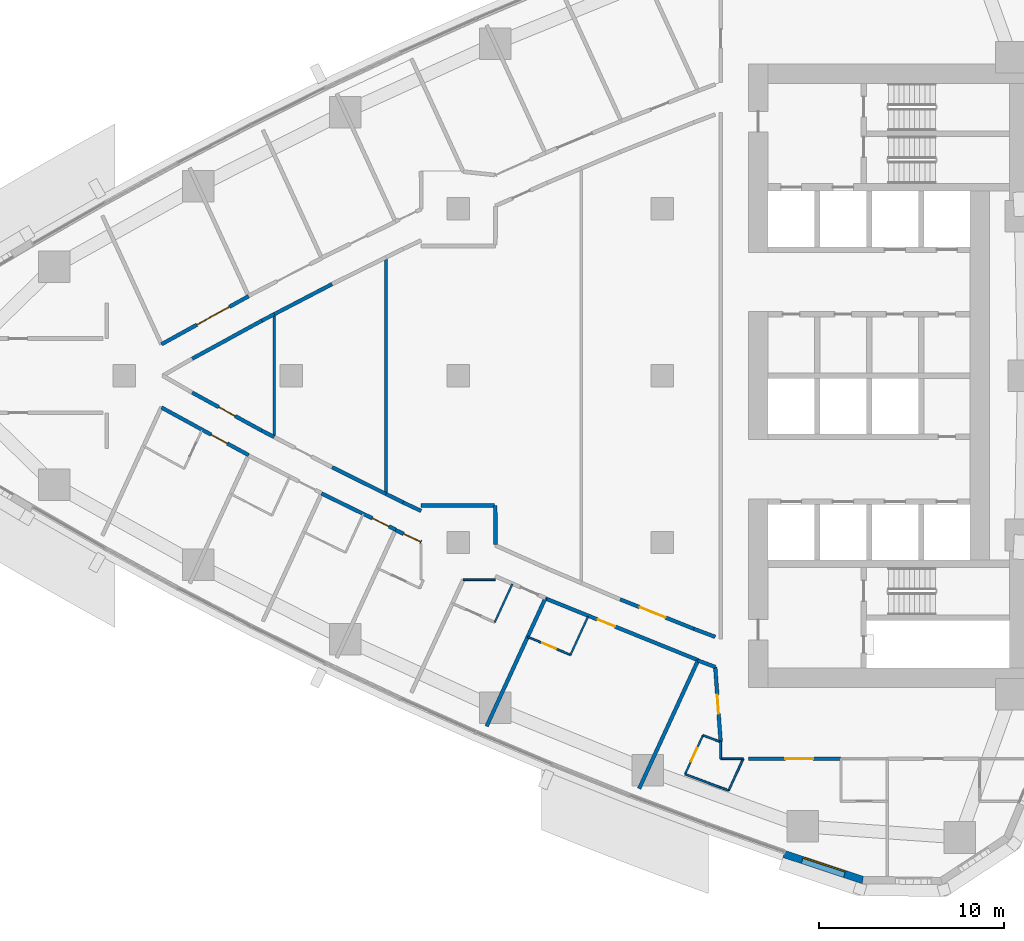
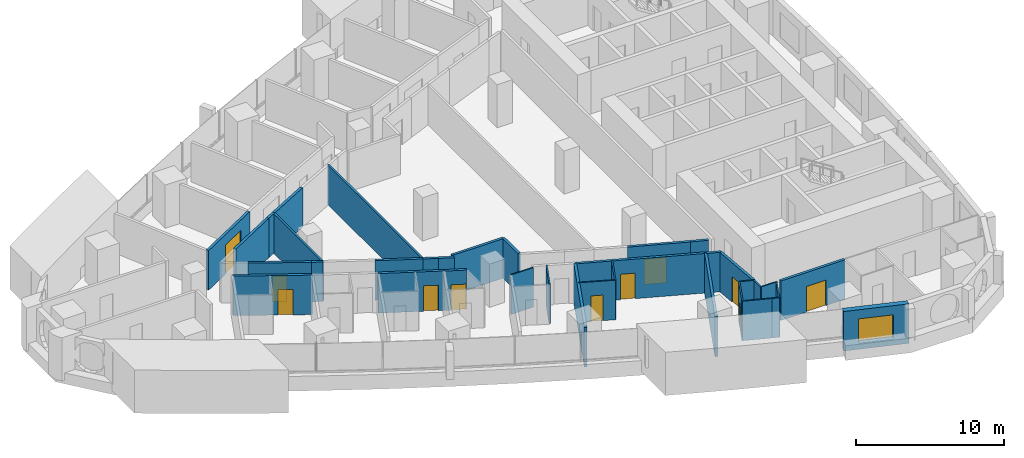
# One storey, part 9 of 17: 36 walls, 11 doors, 1 window, 12 openings.
"""IFC4 building model written with IfcOpenShell, lengths in metres."""

from ifc_helpers import new_model, si_unit, direction, frame, frame_2d, origin, place, context, subcontext, project, spatial, polyline, rectangle, outline, extrude, material, layer, layer_set, type_object, element, fill, save


model = new_model("IFC4")

# Units and contexts
model_context = context("Model", 3, precision=1e-05, world=origin(), true_north=direction((0.0, 1.0)))
body_context = subcontext(model_context, "Body", "Model", "MODEL_VIEW")
ifc_project = project(units=[si_unit("LENGTHUNIT", "METRE"), si_unit("AREAUNIT", "SQUARE_METRE"), si_unit("VOLUMEUNIT", "CUBIC_METRE"), si_unit("PLANEANGLEUNIT", "RADIAN"), si_unit("MASSUNIT", "GRAM", prefix="KILO")], contexts=[model_context])

# Site, building, storey
site_placement = place(None, origin())
site = spatial("IfcSite", under=ifc_project, at=site_placement, CompositionType="ELEMENT")
building_placement = place(site_placement, origin())
building = spatial("IfcBuilding", under=site, at=building_placement, Name="Ostrand Prow Hotel Tower", CompositionType="ELEMENT")
storey_placement = place(building_placement, frame((0.0, 0.0, 88.449951171875)))
storey = spatial("IfcBuildingStorey", under=building, at=storey_placement, Name="L20", CompositionType="ELEMENT", Elevation=88.449951171875)

# Walls
ifc_material_1 = material(Name="Plasterboard partition")
ifc_layer_1 = layer(ifc_material_1, 0.10009765625)
ifc_layer_set_1 = layer_set([ifc_layer_1], Name="Plasterboard partition")
wall_type_1 = type_object("IfcWallType", Name="Partition 100 bathroom wall", PredefinedType="PARTITIONING", material=ifc_layer_set_1)
wall_1_placement = place(storey_placement, frame((36.917236328125, -11.2275390625, 0.0), z_axis=(0.0, 0.0, 1.0), x_axis=(-0.417378147321, -0.908732899228, 0.0)))
element("IfcWall", 1, at=wall_1_placement, inside=storey, type_object=wall_type_1, Name="BATHROOM WALL", PredefinedType="PARTITIONING", context=body_context, shape_type="SweptSolid", body=[
    extrude(rectangle(XDim=2.277099609375, YDim=0.10009765625, at=frame_2d((1.138671875, 0.0))), origin(), (0.0, 0.0, 1.0), 3.25),
])
wall_2_placement = place(storey_placement, frame((40.99853515625, -12.983642578125, 0.0), z_axis=(0.0, 0.0, 1.0), x_axis=(-0.417433204355, -0.908707609686, 0.0)))
element("IfcWall", 2, at=wall_2_placement, inside=storey, type_object=wall_type_1, Name="BATHROOM WALL", PredefinedType="PARTITIONING", context=body_context, shape_type="SweptSolid", body=[
    extrude(rectangle(XDim=2.278076171875, YDim=0.10009765625, at=frame_2d((1.13916015625, 0.0))), origin(), (0.0, 0.0, 1.0), 3.25),
])

# Wall, opening, door
wall_3_placement = place(storey_placement, frame((40.047607421875, -15.0537109375, 0.0), z_axis=(0.0, 0.0, 1.0), x_axis=(-0.921042675983, 0.38946166566, 0.0)))
wall_3 = element("IfcWall", 3, at=wall_3_placement, inside=storey, type_object=wall_type_1, Name="BATHROOM WALL", PredefinedType="PARTITIONING", context=body_context, shape_type="SweptSolid", body=[
    extrude(rectangle(XDim=2.501220703125, YDim=0.10009765625, at=frame_2d((1.25048828125, 0.0))), origin(), (0.0, 0.0, 1.0), 3.25),
])
opening_1_placement = place(wall_3_placement, frame((0.85009765625, 0.0, 0.0)))
opening_1 = element("IfcOpeningElement", 4, at=opening_1_placement, cuts=wall_3, Name="Opening D2", PredefinedType="OPENING", context=body_context, shape_type="SweptSolid", body=[
    extrude(rectangle(XDim=0.800048828125, YDim=2.10009765625, at=frame_2d((0.39990234375, 1.050048828125))), frame((0.0, 0.06005859375, 0.0), z_axis=(0.0, -1.0, 0.0), x_axis=(1.0, 0.0, 0.0)), (0.0, 0.0, 1.0), 0.1201171875),
])
ifc_material_2 = material(Name="Timber door leaf", Category="wood")
door_type_1 = type_object("IfcDoorType", Name="Bathroom door 800", OperationType="SINGLE_SWING_LEFT", PredefinedType="DOOR", material=ifc_material_2)
door_1_placement = place(opening_1_placement, origin())
door_1 = element("IfcDoor", 5, at=door_1_placement, inside=storey, type_object=door_type_1, Name="DOOR", OperationType="SINGLE_SWING_LEFT", OverallHeight=2.10009765625, OverallWidth=0.800048828125, PredefinedType="DOOR", context=body_context, shape_type="SweptSolid", body=[
    extrude(rectangle(XDim=0.800048828125, YDim=2.10009765625, at=frame_2d((0.39990234375, 1.050048828125))), frame((0.0, 0.02490234375, 0.0), z_axis=(0.0, -1.0, 0.0), x_axis=(1.0, 0.0, 0.0)), (0.0, 0.0, 1.0), 0.050048828125),
])
fill(opening_1, door_1)

wall_4_placement = place(storey_placement, frame((46.229248046875, -21.48486328125, 0.0), z_axis=(0.0, 0.0, 1.0), x_axis=(0.417405650341, 0.908720266674, 0.0)))
wall_4 = element("IfcWall", 6, at=wall_4_placement, inside=storey, type_object=wall_type_1, Name="BATHROOM WALL", PredefinedType="PARTITIONING", context=body_context, shape_type="SweptSolid", body=[
    extrude(rectangle(XDim=2.3056640625, YDim=0.10009765625, at=frame_2d((1.15283203125, 0.0))), origin(), (0.0, 0.0, 1.0), 3.25),
])
opening_2_placement = place(wall_4_placement, frame((0.75, 0.0, 0.0)))
opening_2 = element("IfcOpeningElement", 7, at=opening_2_placement, cuts=wall_4, Name="Opening D2", PredefinedType="OPENING", context=body_context, shape_type="SweptSolid", body=[
    extrude(rectangle(XDim=0.800048828125, YDim=2.10009765625, at=frame_2d((0.39990234375, 1.050048828125))), frame((0.0, 0.06005859375, 0.0), z_axis=(0.0, -1.0, 0.0), x_axis=(1.0, 0.0, 0.0)), (0.0, 0.0, 1.0), 0.1201171875),
])
door_2_placement = place(opening_2_placement, origin())
door_2 = element("IfcDoor", 8, at=door_2_placement, inside=storey, type_object=door_type_1, Name="DOOR", OperationType="SINGLE_SWING_LEFT", OverallHeight=2.10009765625, OverallWidth=0.800048828125, PredefinedType="DOOR", context=body_context, shape_type="SweptSolid", body=[
    extrude(rectangle(XDim=0.800048828125, YDim=2.10009765625, at=frame_2d((0.39990234375, 1.050048828125))), frame((0.0, 0.02490234375, 0.0), z_axis=(0.0, -1.0, 0.0), x_axis=(1.0, 0.0, 0.0)), (0.0, 0.0, 1.0), 0.050048828125),
])
fill(opening_2, door_2)

# Walls
wall_5_placement = place(storey_placement, frame((47.19189453125, -19.3896484375, 0.0), z_axis=(0.0, 0.0, 1.0), x_axis=(0.935855998994, -0.352382674301, 0.0)))
element("IfcWall", 9, at=wall_5_placement, inside=storey, type_object=wall_type_1, Name="BATHROOM WALL", PredefinedType="PARTITIONING", context=body_context, shape_type="SweptSolid", body=[
    extrude(rectangle(XDim=0.998291015625, YDim=0.10009765625, at=frame_2d((0.4990234375, 0.0))), origin(), (0.0, 0.0, 1.0), 3.25),
])
wall_6_placement = place(storey_placement, frame((48.578857421875, -22.35888671875, 0.0), z_axis=(0.0, 0.0, 1.0), x_axis=(-0.942878458172, 0.333136928476, 0.0)))
element("IfcWall", 10, at=wall_6_placement, inside=storey, type_object=wall_type_1, Name="BATHROOM WALL", PredefinedType="PARTITIONING", context=body_context, shape_type="SweptSolid", body=[
    extrude(rectangle(XDim=0.483642578125, YDim=0.10009765625, at=frame_2d((0.24169921875, 0.0))), origin(), (0.0, 0.0, 1.0), 3.25),
])
wall_7_placement = place(storey_placement, frame((48.122802734375, -22.19775390625, 0.0), z_axis=(0.0, 0.0, 1.0), x_axis=(-0.935872177073, 0.352339705654, 0.0)))
element("IfcWall", 11, at=wall_7_placement, inside=storey, type_object=wall_type_1, Name="BATHROOM WALL", PredefinedType="PARTITIONING", context=body_context, shape_type="SweptSolid", body=[
    extrude(rectangle(XDim=2.023193359375, YDim=0.10009765625, at=frame_2d((1.01171875, 0.0))), origin(), (0.0, 0.0, 1.0), 3.25),
])
wall_8_placement = place(storey_placement, frame((34.268310546875, -11.0048828125, 0.0), z_axis=(0.0, 0.0, 1.0), x_axis=(1.0, 0.0, 0.0)))
element("IfcWall", 12, at=wall_8_placement, inside=storey, type_object=wall_type_1, Name="BATHROOM WALL", PredefinedType="PARTITIONING", context=body_context, shape_type="SweptSolid", body=[
    extrude(rectangle(XDim=1.732177734375, YDim=0.10009765625, at=frame_2d((0.8662109375, 0.0))), origin(), (0.0, 0.0, 1.0), 3.25),
])
wall_9_placement = place(storey_placement, frame((48.14501953125, -19.71875, 0.0), z_axis=(0.0, 0.0, 1.0), x_axis=(0.002870551847, -0.999995879958, 0.0)))
element("IfcWall", 13, at=wall_9_placement, inside=storey, type_object=wall_type_1, Name="BATHROOM WALL", PredefinedType="PARTITIONING", context=body_context, shape_type="SweptSolid", body=[
    extrude(rectangle(XDim=0.935546875, YDim=0.10009765625, at=frame_2d((0.4677734375, 0.0))), origin(), (0.0, 0.0, 1.0), 3.25),
])
wall_10_placement = place(storey_placement, frame((48.147705078125, -20.654296875, 0.0), z_axis=(0.0, 0.0, 1.0), x_axis=(0.999999817967, -0.000603378812, 0.0)))
element("IfcWall", 14, at=wall_10_placement, inside=storey, type_object=wall_type_1, Name="BATHROOM WALL", PredefinedType="PARTITIONING", context=body_context, shape_type="SweptSolid", body=[
    extrude(rectangle(XDim=1.2138671875, YDim=0.10009765625, at=frame_2d((0.60693359375, 0.0))), origin(), (0.0, 0.0, 1.0), 3.25),
])
wall_11_placement = place(storey_placement, frame((49.361572265625, -20.655029296875, 0.0), z_axis=(0.0, 0.0, 1.0), x_axis=(-0.417439151459, -0.90870487774, 0.0)))
element("IfcWall", 15, at=wall_11_placement, inside=storey, type_object=wall_type_1, Name="BATHROOM WALL", PredefinedType="PARTITIONING", context=body_context, shape_type="SweptSolid", body=[
    extrude(rectangle(XDim=1.875, YDim=0.10009765625, at=frame_2d((0.9375, 0.0))), origin(), (0.0, 0.0, 1.0), 3.25),
])
ifc_material_3 = material(Name="Plasterboard partition")
ifc_layer_2 = layer(ifc_material_3, 0.14990234375)
ifc_layer_set_2 = layer_set([ifc_layer_2], Name="Plasterboard partition")
wall_type_2 = type_object("IfcWallType", Name="Partition 150 room partition", PredefinedType="PARTITIONING", material=ifc_layer_set_2)
wall_12_placement = place(storey_placement, frame((24.081787109375, -3.3134765625, 0.0), z_axis=(0.0, 0.0, 1.0), x_axis=(0.0, 1.0, 0.0)))
element("IfcWall", 16, at=wall_12_placement, inside=storey, type_object=wall_type_2, Name="ROOM PARTITION", PredefinedType="PARTITIONING", context=body_context, shape_type="SweptSolid", body=[
    extrude(rectangle(XDim=6.626953125, YDim=0.14990234375, at=frame_2d((3.3134765625, 0.0))), origin(), (0.0, 0.0, 1.0), 3.25),
])
wall_13_placement = place(storey_placement, frame((30.098876953125, -6.37451171875, 0.0), z_axis=(0.0, 0.0, 1.0), x_axis=(0.0, 1.0, 0.0)))
element("IfcWall", 17, at=wall_13_placement, inside=storey, type_object=wall_type_2, Name="ROOM PARTITION", PredefinedType="PARTITIONING", context=body_context, shape_type="SweptSolid", body=[
    extrude(rectangle(XDim=12.7490234375, YDim=0.14990234375, at=frame_2d((6.37451171875, 0.0))), origin(), (0.0, 0.0, 1.0), 3.25),
])

# Wall, opening, door
ifc_material_4 = material(Name="Plasterboard partition")
ifc_layer_3 = layer(ifc_material_4, 0.199951171875)
ifc_layer_set_3 = layer_set([ifc_layer_3], Name="Plasterboard partition")
wall_type_3 = type_object("IfcWallType", Name="Partition 200 corridor wall", PredefinedType="PARTITIONING", material=ifc_layer_set_3)
wall_14_placement = place(storey_placement, frame((18.0, 1.691650390625, 0.0), z_axis=(0.0, 0.0, 1.0), x_axis=(0.875548487611, 0.483130257634, 0.0)))
wall_14 = element("IfcWall", 18, at=wall_14_placement, inside=storey, type_object=wall_type_3, Name="CORRIDOR WALL", PredefinedType="PARTITIONING", context=body_context, shape_type="SweptSolid", body=[
    extrude(rectangle(XDim=5.36669921875, YDim=0.199951171875, at=frame_2d((2.683349609375, 0.0))), origin(), (0.0, 0.0, 1.0), 3.25),
])
opening_3_placement = place(wall_14_placement, frame((2.183349609375, 0.0, 0.0)))
opening_3 = element("IfcOpeningElement", 19, at=opening_3_placement, cuts=wall_14, Name="Opening D20", PredefinedType="OPENING", context=body_context, shape_type="SweptSolid", body=[
    extrude(rectangle(XDim=2.0, YDim=2.39990234375, at=frame_2d((1.0, 1.199951171875))), frame((0.0, 0.10986328125, 0.0), z_axis=(0.0, -1.0, 0.0), x_axis=(1.0, 0.0, 0.0)), (0.0, 0.0, 1.0), 0.219970703125),
])
ifc_material_5 = material(Name="Timber door leaf", Category="wood")
door_type_2 = type_object("IfcDoorType", Name="Double door 2000", OperationType="DOUBLE_DOOR_SINGLE_SWING", PredefinedType="DOOR", material=ifc_material_5)
door_3_placement = place(opening_3_placement, origin())
door_3 = element("IfcDoor", 20, at=door_3_placement, inside=storey, type_object=door_type_2, Name="DOOR", OperationType="DOUBLE_DOOR_SINGLE_SWING", OverallHeight=2.39990234375, OverallWidth=2.0, PredefinedType="DOOR", context=body_context, shape_type="SweptSolid", body=[
    extrude(rectangle(XDim=2.0, YDim=2.39990234375, at=frame_2d((1.0, 1.199951171875))), frame((0.0, 0.02490234375, 0.0), z_axis=(0.0, -1.0, 0.0), x_axis=(1.0, 0.0, 0.0)), (0.0, 0.0, 1.0), 0.050048828125),
])
fill(opening_3, door_3)

wall_15_placement = place(storey_placement, frame((18.0, -1.714599609375, 0.0), z_axis=(0.0, 0.0, 1.0), x_axis=(0.877354946945, -0.479841950096, 0.0)))
wall_15 = element("IfcWall", 21, at=wall_15_placement, inside=storey, type_object=wall_type_3, Name="CORRIDOR WALL", PredefinedType="PARTITIONING", context=body_context, shape_type="SweptSolid", body=[
    extrude(rectangle(XDim=5.35546875, YDim=0.199951171875, at=frame_2d((2.677734375, 0.0))), origin(), (0.0, 0.0, 1.0), 3.25),
])
opening_4_placement = place(wall_15_placement, frame((3.050048828125, 0.0, 0.0)))
opening_4 = element("IfcOpeningElement", 22, at=opening_4_placement, cuts=wall_15, Name="Opening D1R", PredefinedType="OPENING", context=body_context, shape_type="SweptSolid", body=[
    extrude(rectangle(XDim=1.0, YDim=2.10009765625, at=frame_2d((0.5, 1.050048828125))), frame((0.0, 0.10986328125, 0.0), z_axis=(0.0, -1.0, 0.0), x_axis=(1.0, 0.0, 0.0)), (0.0, 0.0, 1.0), 0.219970703125),
])
ifc_material_6 = material(Name="Timber door leaf", Category="wood")
door_type_3 = type_object("IfcDoorType", Name="Guest room door 1000 right", OperationType="SINGLE_SWING_RIGHT", PredefinedType="DOOR", material=ifc_material_6)
door_4_placement = place(opening_4_placement, origin())
door_4 = element("IfcDoor", 23, at=door_4_placement, inside=storey, type_object=door_type_3, Name="DOOR", OperationType="SINGLE_SWING_RIGHT", OverallHeight=2.10009765625, OverallWidth=1.0, PredefinedType="DOOR", context=body_context, shape_type="SweptSolid", body=[
    extrude(rectangle(XDim=1.0, YDim=2.10009765625, at=frame_2d((0.5, 1.050048828125))), frame((0.0, 0.02490234375, 0.0), z_axis=(0.0, -1.0, 0.0), x_axis=(1.0, 0.0, 0.0)), (0.0, 0.0, 1.0), 0.050048828125),
])
fill(opening_4, door_4)

wall_16_placement = place(storey_placement, frame((26.6328125, -6.35302734375, 0.0), z_axis=(0.0, 0.0, 1.0), x_axis=(0.898502457097, -0.438968489291, 0.0)))
wall_16 = element("IfcWall", 24, at=wall_16_placement, inside=storey, type_object=wall_type_3, Name="CORRIDOR WALL", PredefinedType="PARTITIONING", context=body_context, shape_type="SweptSolid", body=[
    extrude(rectangle(XDim=4.43994140625, YDim=0.199951171875, at=frame_2d((2.219970703125, 0.0))), origin(), (0.0, 0.0, 1.0), 3.25),
])
opening_5_placement = place(wall_16_placement, frame((3.050048828125, 0.0, 0.0)))
opening_5 = element("IfcOpeningElement", 25, at=opening_5_placement, cuts=wall_16, Name="Opening D1R", PredefinedType="OPENING", context=body_context, shape_type="SweptSolid", body=[
    extrude(rectangle(XDim=1.0, YDim=2.10009765625, at=frame_2d((0.5, 1.050048828125))), frame((0.0, 0.10986328125, 0.0), z_axis=(0.0, -1.0, 0.0), x_axis=(1.0, 0.0, 0.0)), (0.0, 0.0, 1.0), 0.219970703125),
])
door_5_placement = place(opening_5_placement, origin())
door_5 = element("IfcDoor", 26, at=door_5_placement, inside=storey, type_object=door_type_3, Name="DOOR", OperationType="SINGLE_SWING_RIGHT", OverallHeight=2.10009765625, OverallWidth=1.0, PredefinedType="DOOR", context=body_context, shape_type="SweptSolid", body=[
    extrude(rectangle(XDim=1.0, YDim=2.10009765625, at=frame_2d((0.5, 1.050048828125))), frame((0.0, 0.02490234375, 0.0), z_axis=(0.0, -1.0, 0.0), x_axis=(1.0, 0.0, 0.0)), (0.0, 0.0, 1.0), 0.050048828125),
])
fill(opening_5, door_5)

wall_17_placement = place(storey_placement, frame((30.61376953125, -8.320068359375, 0.0), z_axis=(0.0, 0.0, 1.0), x_axis=(0.904695891996, -0.42605791039, 0.0)))
wall_17 = element("IfcWall", 27, at=wall_17_placement, inside=storey, type_object=wall_type_3, Name="CORRIDOR WALL", PredefinedType="PARTITIONING", context=body_context, shape_type="SweptSolid", body=[
    extrude(rectangle(XDim=1.5322265625, YDim=0.199951171875, at=frame_2d((0.76611328125, 0.0))), origin(), (0.0, 0.0, 1.0), 3.25),
])
opening_6_placement = place(wall_17_placement, frame((0.482421875, 0.0, 0.0)))
opening_6 = element("IfcOpeningElement", 28, at=opening_6_placement, cuts=wall_17, Name="Opening D1R", PredefinedType="OPENING", context=body_context, shape_type="SweptSolid", body=[
    extrude(rectangle(XDim=1.0, YDim=2.10009765625, at=frame_2d((0.5, 1.050048828125))), frame((0.0, 0.10986328125, 0.0), z_axis=(0.0, -1.0, 0.0), x_axis=(1.0, 0.0, 0.0)), (0.0, 0.0, 1.0), 0.219970703125),
])
door_6_placement = place(opening_6_placement, origin())
door_6 = element("IfcDoor", 29, at=door_6_placement, inside=storey, type_object=door_type_3, Name="DOOR", OperationType="SINGLE_SWING_RIGHT", OverallHeight=2.10009765625, OverallWidth=1.0, PredefinedType="DOOR", context=body_context, shape_type="SweptSolid", body=[
    extrude(rectangle(XDim=1.0, YDim=2.10009765625, at=frame_2d((0.5, 1.050048828125))), frame((0.0, 0.02490234375, 0.0), z_axis=(0.0, -1.0, 0.0), x_axis=(1.0, 0.0, 0.0)), (0.0, 0.0, 1.0), 0.050048828125),
])
fill(opening_6, door_6)

wall_18_placement = place(storey_placement, frame((38.696044921875, -12.0068359375, 0.0), z_axis=(0.0, 0.0, 1.0), x_axis=(0.927027566285, -0.374993188401, 0.0)))
wall_18 = element("IfcWall", 30, at=wall_18_placement, inside=storey, type_object=wall_type_3, Name="CORRIDOR WALL", PredefinedType="PARTITIONING", context=body_context, shape_type="SweptSolid", body=[
    extrude(rectangle(XDim=8.885009765625, YDim=0.199951171875, at=frame_2d((4.4423828125, 0.0))), origin(), (0.0, 0.0, 1.0), 3.25),
])
opening_7_placement = place(wall_18_placement, frame((3.050048828125, 0.0, 0.0)))
opening_7 = element("IfcOpeningElement", 31, at=opening_7_placement, cuts=wall_18, Name="Opening D1R", PredefinedType="OPENING", context=body_context, shape_type="SweptSolid", body=[
    extrude(rectangle(XDim=1.0, YDim=2.10009765625, at=frame_2d((0.5, 1.050048828125))), frame((0.0, 0.10986328125, 0.0), z_axis=(0.0, -1.0, 0.0), x_axis=(1.0, 0.0, 0.0)), (0.0, 0.0, 1.0), 0.219970703125),
])
door_7_placement = place(opening_7_placement, origin())
door_7 = element("IfcDoor", 32, at=door_7_placement, inside=storey, type_object=door_type_3, Name="DOOR", OperationType="SINGLE_SWING_RIGHT", OverallHeight=2.10009765625, OverallWidth=1.0, PredefinedType="DOOR", context=body_context, shape_type="SweptSolid", body=[
    extrude(rectangle(XDim=1.0, YDim=2.10009765625, at=frame_2d((0.5, 1.050048828125))), frame((0.0, 0.02490234375, 0.0), z_axis=(0.0, -1.0, 0.0), x_axis=(1.0, 0.0, 0.0)), (0.0, 0.0, 1.0), 0.050048828125),
])
fill(opening_7, door_7)

wall_19_placement = place(storey_placement, frame((23.40673828125, -2.9619140625, 0.0), z_axis=(0.0, 0.0, 1.0), x_axis=(-0.877465075585, 0.479640533242, 0.0)))
wall_19 = element("IfcWall", 33, at=wall_19_placement, inside=storey, type_object=wall_type_3, Name="CORRIDOR WALL", PredefinedType="PARTITIONING", context=body_context, shape_type="SweptSolid", body=[
    extrude(rectangle(XDim=4.273193359375, YDim=0.199951171875, at=frame_2d((2.13671875, 0.0))), origin(), (0.0, 0.0, 1.0), 3.25),
])
opening_8_placement = place(wall_19_placement, frame((1.636474609375, 0.0, 0.0)))
opening_8 = element("IfcOpeningElement", 34, at=opening_8_placement, cuts=wall_19, Name="Opening D1R", PredefinedType="OPENING", context=body_context, shape_type="SweptSolid", body=[
    extrude(rectangle(XDim=1.0, YDim=2.10009765625, at=frame_2d((0.5, 1.050048828125))), frame((0.0, 0.10986328125, 0.0), z_axis=(0.0, -1.0, 0.0), x_axis=(1.0, 0.0, 0.0)), (0.0, 0.0, 1.0), 0.219970703125),
])
door_8_placement = place(opening_8_placement, origin())
door_8 = element("IfcDoor", 35, at=door_8_placement, inside=storey, type_object=door_type_3, Name="DOOR", OperationType="SINGLE_SWING_RIGHT", OverallHeight=2.10009765625, OverallWidth=1.0, PredefinedType="DOOR", context=body_context, shape_type="SweptSolid", body=[
    extrude(rectangle(XDim=1.0, YDim=2.10009765625, at=frame_2d((0.5, 1.050048828125))), frame((0.0, 0.02490234375, 0.0), z_axis=(0.0, -1.0, 0.0), x_axis=(1.0, 0.0, 0.0)), (0.0, 0.0, 1.0), 0.050048828125),
])
fill(opening_8, door_8)

# Walls
wall_20_placement = place(storey_placement, frame((19.6572265625, 0.912353515625, 0.0), z_axis=(0.0, 0.0, 1.0), x_axis=(0.877465075585, 0.479640533242, 0.0)))
element("IfcWall", 36, at=wall_20_placement, inside=storey, type_object=wall_type_3, Name="CORRIDOR WALL", PredefinedType="PARTITIONING", context=body_context, shape_type="SweptSolid", body=[
    extrude(rectangle(XDim=4.273193359375, YDim=0.199951171875, at=frame_2d((2.13671875, 0.0))), origin(), (0.0, 0.0, 1.0), 3.25),
])
for number, where, z_axis, x_axis, name in (
    (37, (23.40673828125, 2.9619140625, 0.0), (0.0, 0.0, 1.0), (0.886927773157, 0.461908135026, 0.0), "CORRIDOR WALL"),
    (38, (24.081787109375, -3.3134765625, 0.0), (0.0, 0.0, 1.0), (-0.886927773157, 0.461908135026, 0.0), "CORRIDOR WALL"),
):
    element("IfcWall", number, at=place(storey_placement, frame(where, z_axis=z_axis, x_axis=x_axis)), inside=storey, type_object=wall_type_3, Name=name, PredefinedType="PARTITIONING", context=body_context, shape_type="SweptSolid", body=[
        extrude(rectangle(XDim=0.76123046875, YDim=0.199951171875, at=frame_2d((0.380615234375, 0.0))), origin(), (0.0, 0.0, 1.0), 3.25),
    ])
wall_21_placement = place(storey_placement, frame((30.098876953125, -6.37451171875, 0.0), z_axis=(0.0, 0.0, 1.0), x_axis=(-0.895974251126, 0.444106002345, 0.0)))
element("IfcWall", 39, at=wall_21_placement, inside=storey, type_object=wall_type_3, Name="CORRIDOR WALL", PredefinedType="PARTITIONING", context=body_context, shape_type="SweptSolid", body=[
    extrude(rectangle(XDim=3.239501953125, YDim=0.199951171875, at=frame_2d((1.61962890625, 0.0))), origin(), (0.0, 0.0, 1.0), 3.25),
])
wall_22_placement = place(storey_placement, frame((24.081787109375, 3.3134765625, 0.0), z_axis=(0.0, 0.0, 1.0), x_axis=(0.886893314466, 0.461974294476, 0.0)))
element("IfcWall", 40, at=wall_22_placement, inside=storey, type_object=wall_type_3, Name="CORRIDOR WALL", PredefinedType="PARTITIONING", context=body_context, shape_type="SweptSolid", body=[
    extrude(rectangle(XDim=3.51171875, YDim=0.199951171875, at=frame_2d((1.755859375, 0.0))), origin(), (0.0, 0.0, 1.0), 3.25),
])
wall_23_placement = place(storey_placement, frame((32.0, -7.292724609375, 0.0), z_axis=(0.0, 0.0, 1.0), x_axis=(-0.904690325494, 0.426069730159, 0.0)))
element("IfcWall", 41, at=wall_23_placement, inside=storey, type_object=wall_type_3, Name="CORRIDOR WALL", PredefinedType="PARTITIONING", context=body_context, shape_type="SweptSolid", body=[
    extrude(rectangle(XDim=1.077880859375, YDim=0.199951171875, at=frame_2d((0.5390625, 0.0))), origin(), (0.0, 0.0, 1.0), 3.25),
])
wall_24_placement = place(storey_placement, frame((31.02490234375, -6.83349609375, 0.0), z_axis=(0.0, 0.0, 1.0), x_axis=(-0.89598080504, 0.44409277972, 0.0)))
element("IfcWall", 42, at=wall_24_placement, inside=storey, type_object=wall_type_3, Name="CORRIDOR WALL", PredefinedType="PARTITIONING", context=body_context, shape_type="SweptSolid", body=[
    extrude(rectangle(XDim=1.033447265625, YDim=0.199951171875, at=frame_2d((0.5166015625, 0.0))), origin(), (0.0, 0.0, 1.0), 3.25),
])

# Wall, opening, door
wall_25_placement = place(storey_placement, frame((46.69580078125, -13.646728515625, 0.0), z_axis=(0.0, 0.0, 1.0), x_axis=(-0.928638161177, 0.370986745864, 0.0)))
wall_25 = element("IfcWall", 43, at=wall_25_placement, inside=storey, type_object=wall_type_3, Name="CORRIDOR WALL", PredefinedType="PARTITIONING", context=body_context, shape_type="SweptSolid", body=[
    extrude(rectangle(XDim=4.27294921875, YDim=0.199951171875, at=frame_2d((2.136474609375, 0.0))), origin(), (0.0, 0.0, 1.0), 3.25),
])
opening_9_placement = place(wall_25_placement, frame((1.636474609375, 0.0, 0.0)))
opening_9 = element("IfcOpeningElement", 44, at=opening_9_placement, cuts=wall_25, Name="Opening D15", PredefinedType="OPENING", context=body_context, shape_type="SweptSolid", body=[
    extrude(rectangle(XDim=1.5, YDim=2.10009765625, at=frame_2d((0.75, 1.050048828125))), frame((0.0, 0.10986328125, 0.0), z_axis=(0.0, -1.0, 0.0), x_axis=(1.0, 0.0, 0.0)), (0.0, 0.0, 1.0), 0.219970703125),
])
ifc_material_7 = material(Name="Timber door leaf", Category="wood")
door_type_4 = type_object("IfcDoorType", Name="Double door 1500", OperationType="DOUBLE_DOOR_SINGLE_SWING", PredefinedType="DOOR", material=ifc_material_7)
door_9_placement = place(opening_9_placement, origin())
door_9 = element("IfcDoor", 45, at=door_9_placement, inside=storey, type_object=door_type_4, Name="DOOR", OperationType="DOUBLE_DOOR_SINGLE_SWING", OverallHeight=2.10009765625, OverallWidth=1.5, PredefinedType="DOOR", context=body_context, shape_type="SweptSolid", body=[
    extrude(rectangle(XDim=1.5, YDim=2.10009765625, at=frame_2d((0.75, 1.050048828125))), frame((0.0, 0.02490234375, 0.0), z_axis=(0.0, -1.0, 0.0), x_axis=(1.0, 0.0, 0.0)), (0.0, 0.0, 1.0), 0.050048828125),
])
fill(opening_9, door_9)

wall_26_placement = place(storey_placement, frame((49.64990234375, -20.655029296875, 0.0), z_axis=(0.0, 0.0, 1.0), x_axis=(1.0, 0.0, 0.0)))
wall_26 = element("IfcWall", 46, at=wall_26_placement, inside=storey, type_object=wall_type_3, Name="CORRIDOR WALL", PredefinedType="PARTITIONING", context=body_context, shape_type="SweptSolid", body=[
    extrude(rectangle(XDim=4.9755859375, YDim=0.199951171875, at=frame_2d((2.48779296875, 0.0))), origin(), (0.0, 0.0, 1.0), 3.25),
])
opening_10_placement = place(wall_26_placement, frame((1.98779296875, 0.0, 0.0)))
opening_10 = element("IfcOpeningElement", 47, at=opening_10_placement, cuts=wall_26, Name="Opening D15", PredefinedType="OPENING", context=body_context, shape_type="SweptSolid", body=[
    extrude(rectangle(XDim=1.5, YDim=2.10009765625, at=frame_2d((0.75, 1.050048828125))), frame((0.0, 0.10986328125, 0.0), z_axis=(0.0, -1.0, 0.0), x_axis=(1.0, 0.0, 0.0)), (0.0, 0.0, 1.0), 0.219970703125),
])
door_10_placement = place(opening_10_placement, origin())
door_10 = element("IfcDoor", 48, at=door_10_placement, inside=storey, type_object=door_type_4, Name="DOOR", OperationType="DOUBLE_DOOR_SINGLE_SWING", OverallHeight=2.10009765625, OverallWidth=1.5, PredefinedType="DOOR", context=body_context, shape_type="SweptSolid", body=[
    extrude(rectangle(XDim=1.5, YDim=2.10009765625, at=frame_2d((0.75, 1.050048828125))), frame((0.0, 0.02490234375, 0.0), z_axis=(0.0, -1.0, 0.0), x_axis=(1.0, 0.0, 0.0)), (0.0, 0.0, 1.0), 0.050048828125),
])
fill(opening_10, door_10)

# Walls
wall_27_placement = place(storey_placement, frame((46.92431640625, -15.356689453125, 0.0), z_axis=(0.0, 0.0, 1.0), x_axis=(0.935803526171, -0.35252199989, 0.0)))
element("IfcWall", 49, at=wall_27_placement, inside=storey, type_object=wall_type_3, Name="CORRIDOR WALL", PredefinedType="PARTITIONING", context=body_context, shape_type="SweptSolid", body=[
    extrude(rectangle(XDim=0.99462890625, YDim=0.199951171875, at=frame_2d((0.497314453125, 0.0))), origin(), (0.0, 0.0, 1.0), 3.25),
])
wall_28_placement = place(storey_placement, frame((47.85498046875, -14.0830078125, 0.0), z_axis=(0.0, 0.0, 1.0), x_axis=(-0.935907269358, 0.352246480696, 0.0)))
element("IfcWall", 50, at=wall_28_placement, inside=storey, type_object=wall_type_3, Name="CORRIDOR WALL", PredefinedType="PARTITIONING", context=body_context, shape_type="SweptSolid", body=[
    extrude(rectangle(XDim=1.238525390625, YDim=0.199951171875, at=frame_2d((0.619140625, 0.0))), origin(), (0.0, 0.0, 1.0), 3.25),
])

# Wall, opening, door
wall_29_placement = place(storey_placement, frame((47.85498046875, -15.707275390625, 0.0), z_axis=(0.0, 0.0, 1.0), x_axis=(0.072114108047, -0.997396388313, 0.0)))
wall_29 = element("IfcWall", 51, at=wall_29_placement, inside=storey, type_object=wall_type_3, Name="CORRIDOR WALL", PredefinedType="PARTITIONING", context=body_context, shape_type="SweptSolid", body=[
    extrude(rectangle(XDim=4.02197265625, YDim=0.199951171875, at=frame_2d((2.010986328125, 0.0))), origin(), (0.0, 0.0, 1.0), 3.25),
])
opening_11_placement = place(wall_29_placement, frame((1.510986328125, 0.0, 0.0)))
opening_11 = element("IfcOpeningElement", 52, at=opening_11_placement, cuts=wall_29, Name="Opening D1R", PredefinedType="OPENING", context=body_context, shape_type="SweptSolid", body=[
    extrude(rectangle(XDim=1.0, YDim=2.10009765625, at=frame_2d((0.5, 1.050048828125))), frame((0.0, 0.10986328125, 0.0), z_axis=(0.0, -1.0, 0.0), x_axis=(1.0, 0.0, 0.0)), (0.0, 0.0, 1.0), 0.219970703125),
])
door_11_placement = place(opening_11_placement, origin())
door_11 = element("IfcDoor", 53, at=door_11_placement, inside=storey, type_object=door_type_3, Name="DOOR", OperationType="SINGLE_SWING_RIGHT", OverallHeight=2.10009765625, OverallWidth=1.0, PredefinedType="DOOR", context=body_context, shape_type="SweptSolid", body=[
    extrude(rectangle(XDim=1.0, YDim=2.10009765625, at=frame_2d((0.5, 1.050048828125))), frame((0.0, 0.02490234375, 0.0), z_axis=(0.0, -1.0, 0.0), x_axis=(1.0, 0.0, 0.0)), (0.0, 0.0, 1.0), 0.050048828125),
])
fill(opening_11, door_11)

# Walls
wall_30_placement = place(storey_placement, frame((36.0048828125, -9.110107421875, 0.0), z_axis=(0.0, 0.0, 1.0), x_axis=(-0.001385360019, 0.999999040388, 0.0)))
element("IfcWall", 54, at=wall_30_placement, inside=storey, type_object=wall_type_3, Name="CORRIDOR WALL", PredefinedType="PARTITIONING", context=body_context, shape_type="SweptSolid", body=[
    extrude(rectangle(XDim=2.11474609375, YDim=0.199951171875, at=frame_2d((1.057373046875, 0.0))), origin(), (0.0, 0.0, 1.0), 3.25),
])
wall_31_placement = place(storey_placement, frame((35.9619140625, -6.995361328125, 0.0), z_axis=(0.0, 0.0, 1.0), x_axis=(-0.999999998102, 6.1614294e-05, 0.0)))
element("IfcWall", 55, at=wall_31_placement, inside=storey, type_object=wall_type_3, Name="CORRIDOR WALL", PredefinedType="PARTITIONING", context=body_context, shape_type="SweptSolid", body=[
    extrude(rectangle(XDim=3.96240234375, YDim=0.199951171875, at=frame_2d((1.981201171875, 0.0))), origin(), (0.0, 0.0, 1.0), 3.25),
])
ifc_material_8 = material(Name="Plasterboard partition")
ifc_layer_4 = layer(ifc_material_8, 0.199951171875)
ifc_layer_set_4 = layer_set([ifc_layer_4], Name="Plasterboard partition")
wall_type_4 = type_object("IfcWallType", Name="Partition 200 key partition", PredefinedType="PARTITIONING", material=ifc_layer_set_4)
wall_32_placement = place(storey_placement, frame((35.530517578125, -18.89794921875, 0.0), z_axis=(0.0, 0.0, 1.0), x_axis=(0.417416334044, 0.908715359215, 0.0)))
element("IfcWall", 56, at=wall_32_placement, inside=storey, type_object=wall_type_4, Name="KEY PARTITION", PredefinedType="PARTITIONING", context=body_context, shape_type="SweptSolid", body=[
    extrude(rectangle(XDim=7.603515625, YDim=0.199951171875, at=frame_2d((3.8017578125, 0.0))), origin(), (0.0, 0.0, 1.0), 3.25),
])
wall_33_placement = place(storey_placement, frame((43.752197265625, -22.261962890625, 0.0), z_axis=(0.0, 0.0, 1.0), x_axis=(0.417437957167, 0.908705426371, 0.0)))
element("IfcWall", 57, at=wall_33_placement, inside=storey, type_object=wall_type_4, Name="KEY PARTITION", PredefinedType="PARTITIONING", context=body_context, shape_type="SweptSolid", body=[
    extrude(rectangle(XDim=7.618896484375, YDim=0.199951171875, at=frame_2d((3.8095703125, 0.0))), origin(), (0.0, 0.0, 1.0), 3.25),
])

# Wall, opening, window
ifc_material_9 = material(Name="Precast concrete C40/50", Category="concrete")
ifc_layer_5 = layer(ifc_material_9, 0.39990234375)
ifc_layer_set_5 = layer_set([ifc_layer_5], Name="Precast concrete C40/50")
wall_type_5 = type_object("IfcWallType", Name="Stone-faced precast wall 400 mm", PredefinedType="NOTDEFINED", material=ifc_layer_set_5)
wall_34_placement = place(storey_placement, frame((51.56884765625, -25.786865234375, 0.0), z_axis=(0.0, 0.0, 1.0), x_axis=(0.94925004851, -0.314522408429, 0.0)))
wall_34 = element("IfcWall", 58, at=wall_34_placement, inside=storey, type_object=wall_type_5, Name="Stone-faced wall back 1", PredefinedType="NOTDEFINED", context=body_context, shape_type="SweptSolid", body=[
    extrude(outline(polyline([(0.0, -0.199951171875), (4.4990234375, -0.199951171875), (4.43701171875, 0.199951171875), (0.0, 0.199951171875), (0.0, -0.199951171875)])), origin(), (0.0, 0.0, 1.0), 3.25),
])
opening_12_placement = place(wall_34_placement, frame((1.033935546875, 0.0, 0.5)))
opening_12 = element("IfcOpeningElement", 59, at=opening_12_placement, cuts=wall_34, Name="Opening WA1", PredefinedType="OPENING", context=body_context, shape_type="SweptSolid", body=[
    extrude(rectangle(XDim=2.39990234375, YDim=2.0, at=frame_2d((1.199951171875, 1.0))), frame((0.0, 0.2099609375, 0.0), z_axis=(0.0, -1.0, 0.0), x_axis=(1.0, 0.0, 0.0)), (0.0, 0.0, 1.0), 0.419921875),
])
ifc_material_10 = material(Name="Insulated glass in bronze frame", Category="glass")
window_type = type_object("IfcWindowType", Name="Amenity picture window 2400x2000", PartitioningType="SINGLE_PANEL", PredefinedType="WINDOW", material=ifc_material_10)
window_placement = place(opening_12_placement, origin())
window = element("IfcWindow", 60, at=window_placement, inside=storey, type_object=window_type, Name="Window back 1.1", OverallHeight=2.0, OverallWidth=2.39990234375, PartitioningType="SINGLE_PANEL", PredefinedType="WINDOW", context=body_context, shape_type="SweptSolid", body=[
    extrude(rectangle(XDim=2.39990234375, YDim=2.0, at=frame_2d((1.199951171875, 1.0))), frame((0.0, 0.169921875, 0.0), z_axis=(0.0, -1.0, 0.0), x_axis=(1.0, 0.0, 0.0)), (0.0, 0.0, 1.0), 0.06005859375),
])
fill(opening_12, window)

save(model, "model.ifc")
